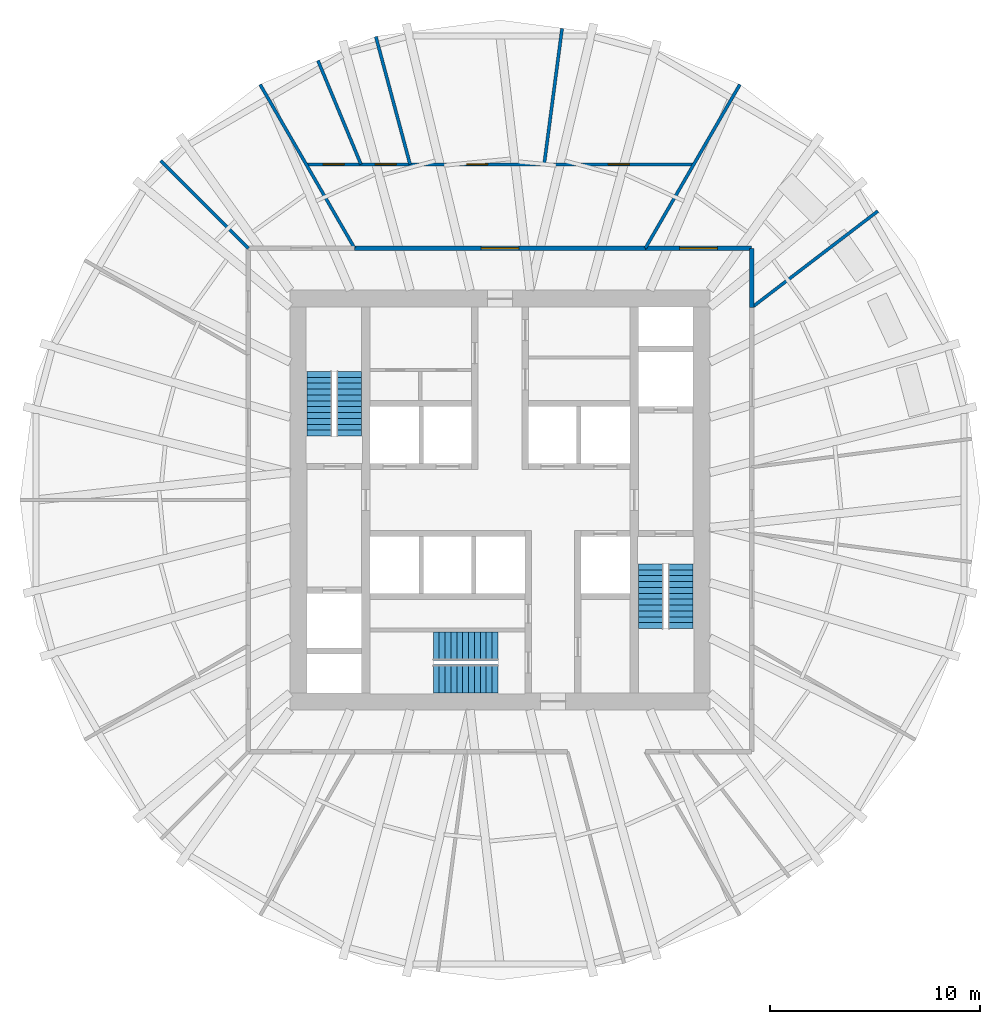
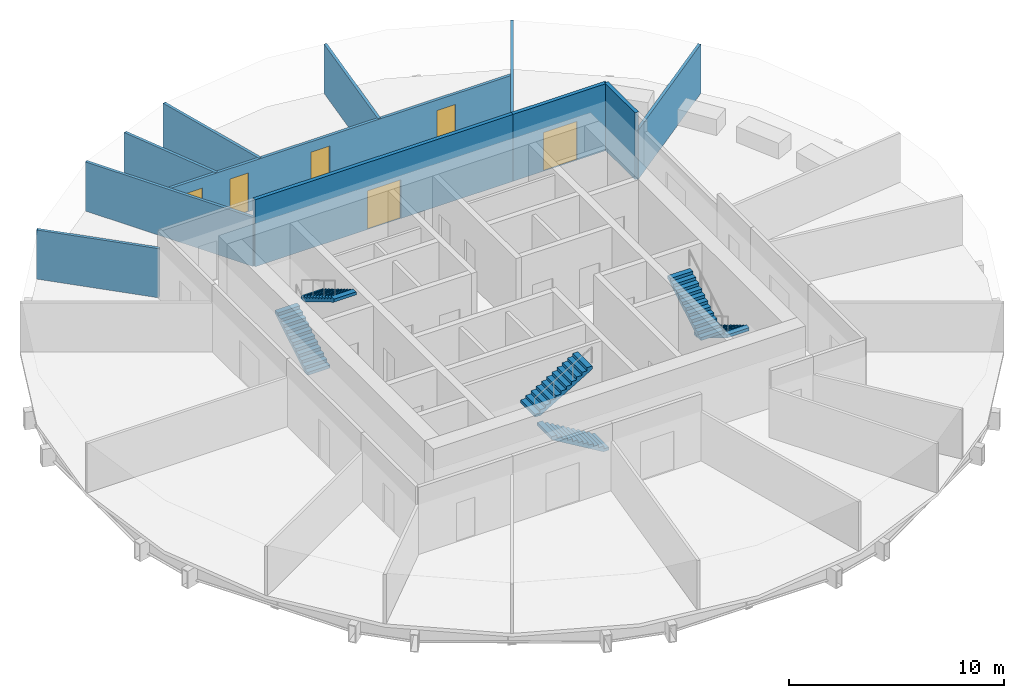
# One storey, part 5 of 7: 11 walls, 6 doors, 6 stair flights, 6 openings, 3 elements without a shape of their own.
"""IFC4 building model written with IfcOpenShell, lengths in metres."""

from ifc_helpers import new_model, si_unit, direction, frame, frame_2d, origin, place, context, subcontext, project, spatial, polyline, rectangle, outline, extrude, material, layer, layer_set, type_object, element, fill, aggregate, save


model = new_model("IFC4")

# Units and contexts
model_context = context("Model", 3, precision=1e-05, world=origin(), true_north=direction((0.0, 1.0)))
body_context = subcontext(model_context, "Body", "Model", "MODEL_VIEW")
ifc_project = project(units=[si_unit("LENGTHUNIT", "METRE"), si_unit("AREAUNIT", "SQUARE_METRE"), si_unit("VOLUMEUNIT", "CUBIC_METRE"), si_unit("PLANEANGLEUNIT", "RADIAN"), si_unit("MASSUNIT", "GRAM", prefix="KILO")], contexts=[model_context])

# Site, building, storey
site_placement = place(None, origin())
site = spatial("IfcSite", under=ifc_project, at=site_placement, CompositionType="ELEMENT")
building_placement = place(site_placement, origin())
building = spatial("IfcBuilding", under=site, at=building_placement, Name="Golbaran Civic Tower", CompositionType="ELEMENT")
storey_placement = place(building_placement, frame((0.0, 0.0, 41.0)))
storey = spatial("IfcBuildingStorey", under=building, at=storey_placement, Name="L09", CompositionType="ELEMENT", Elevation=41.0)

# Wall
ifc_material_1 = material(Name="Gypsum board on steel studs, fire-rated", Category="steel")
ifc_layer_1 = layer(ifc_material_1, 0.199951171875, Name="Gypsum board on steel studs, fire-rated")
ifc_layer_set_1 = layer_set([ifc_layer_1], Name="Gypsum board on steel studs, fire-rated")
wall_type_1 = type_object("IfcWallType", Name="CORRIDOR WALL 200", PredefinedType="PARTITIONING", material=ifc_layer_set_1)
wall_1_placement = place(storey_placement, frame((12.0, 9.175048828125, 0.0), z_axis=(0.0, 0.0, 1.0), x_axis=(0.0, 1.0, 0.0)))
element("IfcWall", 1, at=wall_1_placement, inside=storey, type_object=wall_type_1, Name="Corridor wall L09", PredefinedType="PARTITIONING", context=body_context, shape_type="SweptSolid", body=[
    extrude(rectangle(XDim=2.824951171875, YDim=0.199951171875, at=frame_2d((1.41259765625, 0.0))), origin(), (0.0, 0.0, 1.0), 3.800048828125),
])

# Wall, opening, door
wall_2_placement = place(storey_placement, frame((12.0, 12.0, 0.0), z_axis=(0.0, 0.0, 1.0), x_axis=(-1.0, 0.0, 0.0)))
wall_2 = element("IfcWall", 2, at=wall_2_placement, inside=storey, type_object=wall_type_1, Name="Corridor wall L09", PredefinedType="PARTITIONING", context=body_context, shape_type="SweptSolid", body=[
    extrude(rectangle(XDim=5.07177734375, YDim=0.199951171875, at=frame_2d((2.535888671875, 0.0))), origin(), (0.0, 0.0, 1.0), 3.800048828125),
])
opening_1_placement = place(wall_2_placement, frame((1.635986328125, 0.0, 0.0)))
opening_1 = element("IfcOpeningElement", 3, at=opening_1_placement, cuts=wall_2, Name="Opening L09.08", PredefinedType="OPENING", context=body_context, shape_type="SweptSolid", body=[
    extrude(rectangle(XDim=1.800048828125, YDim=2.199951171875, at=frame_2d((0.89990234375, 1.10009765625))), frame((0.0, 0.10986328125, 0.0), z_axis=(0.0, -1.0, 0.0), x_axis=(1.0, 0.0, 0.0)), (0.0, 0.0, 1.0), 0.219970703125),
])
ifc_material_2 = material(Name="Timber door set in steel frame", Category="steel")
door_type_1 = type_object("IfcDoorType", Name="OFFICE DOUBLE DOOR 1800x2200", OperationType="DOUBLE_DOOR_SINGLE_SWING", PredefinedType="DOOR", material=ifc_material_2)
door_1_placement = place(opening_1_placement, origin())
door_1 = element("IfcDoor", 4, at=door_1_placement, inside=storey, type_object=door_type_1, Name="Staff Lounge door L09", OperationType="DOUBLE_DOOR_SINGLE_SWING", OverallHeight=2.199951171875, OverallWidth=1.800048828125, PredefinedType="DOOR", context=body_context, shape_type="SweptSolid", body=[
    extrude(rectangle(XDim=1.800048828125, YDim=2.199951171875, at=frame_2d((0.89990234375, 1.10009765625))), frame((0.0, 0.02490234375, 0.0), z_axis=(0.0, -1.0, 0.0), x_axis=(1.0, 0.0, 0.0)), (0.0, 0.0, 1.0), 0.050048828125),
])
fill(opening_1, door_1)

wall_3_placement = place(storey_placement, frame((6.92822265625, 12.0, 0.0), z_axis=(0.0, 0.0, 1.0), x_axis=(-1.0, 0.0, 0.0)))
wall_3 = element("IfcWall", 5, at=wall_3_placement, inside=storey, type_object=wall_type_1, Name="Corridor wall L09", PredefinedType="PARTITIONING", context=body_context, shape_type="SweptSolid", body=[
    extrude(rectangle(XDim=13.8564453125, YDim=0.199951171875, at=frame_2d((6.92822265625, 0.0))), origin(), (0.0, 0.0, 1.0), 3.800048828125),
])
opening_2_placement = place(wall_3_placement, frame((6.0283203125, 0.0, 0.0)))
opening_2 = element("IfcOpeningElement", 6, at=opening_2_placement, cuts=wall_3, Name="Opening L09.09", PredefinedType="OPENING", context=body_context, shape_type="SweptSolid", body=[
    extrude(rectangle(XDim=1.800048828125, YDim=2.199951171875, at=frame_2d((0.89990234375, 1.10009765625))), frame((0.0, 0.10986328125, 0.0), z_axis=(0.0, -1.0, 0.0), x_axis=(1.0, 0.0, 0.0)), (0.0, 0.0, 1.0), 0.219970703125),
])
door_2_placement = place(opening_2_placement, origin())
door_2 = element("IfcDoor", 7, at=door_2_placement, inside=storey, type_object=door_type_1, Name="Secretariat door L09", OperationType="DOUBLE_DOOR_SINGLE_SWING", OverallHeight=2.199951171875, OverallWidth=1.800048828125, PredefinedType="DOOR", context=body_context, shape_type="SweptSolid", body=[
    extrude(rectangle(XDim=1.800048828125, YDim=2.199951171875, at=frame_2d((0.89990234375, 1.10009765625))), frame((0.0, 0.02490234375, 0.0), z_axis=(0.0, -1.0, 0.0), x_axis=(1.0, 0.0, 0.0)), (0.0, 0.0, 1.0), 0.050048828125),
])
fill(opening_2, door_2)

# Walls
ifc_material_3 = material(Name="Gypsum board on steel studs", Category="steel")
ifc_layer_2 = layer(ifc_material_3, 0.14990234375, Name="Gypsum board on steel studs")
ifc_layer_set_2 = layer_set([ifc_layer_2], Name="Gypsum board on steel studs")
wall_type_2 = type_object("IfcWallType", Name="OFFICE PARTITION 150", PredefinedType="PARTITIONING", material=ifc_layer_set_2)
wall_4_placement = place(storey_placement, frame((12.0, 9.175048828125, 0.0), z_axis=(0.0, 0.0, 1.0), x_axis=(0.794391707198, 0.607405807952, 0.0)))
element("IfcWall", 8, at=wall_4_placement, inside=storey, type_object=wall_type_2, Name="Partition 37.4013 L09", PredefinedType="PARTITIONING", context=body_context, shape_type="SweptSolid", body=[
    extrude(rectangle(XDim=7.56884765625, YDim=0.14990234375, at=frame_2d((3.784423828125, 0.0))), origin(), (0.0, 0.0, 1.0), 2.7900390625),
])
for number, where, z_axis, x_axis, name in (
    (9, (6.92822265625, 12.0, 0.0), (0.0, 0.0, 1.0), (0.49999598783, 0.866027720199, 0.0), "Partition 60 L09"),
    (10, (-6.92822265625, 12.0, 0.0), (0.0, 0.0, 1.0), (-0.49999598783, 0.866027720199, 0.0), "Partition 120 L09"),
):
    element("IfcWall", number, at=place(storey_placement, frame(where, z_axis=z_axis, x_axis=x_axis)), inside=storey, type_object=wall_type_2, Name=name, PredefinedType="PARTITIONING", context=body_context, shape_type="SweptSolid", body=[
        extrude(rectangle(XDim=9.013671875, YDim=0.14990234375, at=frame_2d((4.5068359375, 0.0))), origin(), (0.0, 0.0, 1.0), 2.7900390625),
    ])
wall_5_placement = place(storey_placement, frame((-12.0, 12.0, 0.0), z_axis=(0.0, 0.0, 1.0), x_axis=(-0.707106781187, 0.707106781187, 0.0)))
element("IfcWall", 11, at=wall_5_placement, inside=storey, type_object=wall_type_2, Name="Partition 135 L09", PredefinedType="PARTITIONING", context=body_context, shape_type="SweptSolid", body=[
    extrude(rectangle(XDim=5.899658203125, YDim=0.14990234375, at=frame_2d((2.94970703125, 0.0))), origin(), (0.0, 0.0, 1.0), 2.7900390625),
])

# Wall, openings, doors
wall_6_placement = place(storey_placement, frame((9.237548828125, 16.0, 0.0), z_axis=(0.0, 0.0, 1.0), x_axis=(-1.0, 0.0, 0.0)))
wall_6 = element("IfcWall", 12, at=wall_6_placement, inside=storey, type_object=wall_type_2, Name="Suite partition L09", PredefinedType="PARTITIONING", context=body_context, shape_type="SweptSolid", body=[
    extrude(rectangle(XDim=18.47509765625, YDim=0.14990234375, at=frame_2d((9.237548828125, 0.0))), origin(), (0.0, 0.0, 1.0), 2.7900390625),
])
opening_3_placement = place(wall_6_placement, frame((3.065673828125, 0.0, 0.0)))
opening_3 = element("IfcOpeningElement", 13, at=opening_3_placement, cuts=wall_6, Name="Opening L09.01", PredefinedType="OPENING", context=body_context, shape_type="SweptSolid", body=[
    extrude(rectangle(XDim=1.0, YDim=2.199951171875, at=frame_2d((0.5, 1.10009765625))), frame((0.0, 0.0849609375, 0.0), z_axis=(0.0, -1.0, 0.0), x_axis=(1.0, 0.0, 0.0)), (0.0, 0.0, 1.0), 0.169921875),
])
opening_4_placement = place(wall_6_placement, frame((9.827880859375, 0.0, 0.0)))
opening_4 = element("IfcOpeningElement", 14, at=opening_4_placement, cuts=wall_6, Name="Opening L09.02", PredefinedType="OPENING", context=body_context, shape_type="SweptSolid", body=[
    extrude(rectangle(XDim=1.0, YDim=2.199951171875, at=frame_2d((0.5, 1.10009765625))), frame((0.0, 0.0849609375, 0.0), z_axis=(0.0, -1.0, 0.0), x_axis=(1.0, 0.0, 0.0)), (0.0, 0.0, 1.0), 0.169921875),
])
opening_5_placement = place(wall_6_placement, frame((14.19482421875, 0.0, 0.0)))
opening_5 = element("IfcOpeningElement", 15, at=opening_5_placement, cuts=wall_6, Name="Opening L09.03", PredefinedType="OPENING", context=body_context, shape_type="SweptSolid", body=[
    extrude(rectangle(XDim=1.0, YDim=2.199951171875, at=frame_2d((0.5, 1.10009765625))), frame((0.0, 0.0849609375, 0.0), z_axis=(0.0, -1.0, 0.0), x_axis=(1.0, 0.0, 0.0)), (0.0, 0.0, 1.0), 0.169921875),
])
opening_6_placement = place(wall_6_placement, frame((16.670166015625, 0.0, 0.0)))
opening_6 = element("IfcOpeningElement", 16, at=opening_6_placement, cuts=wall_6, Name="Opening L09.04", PredefinedType="OPENING", context=body_context, shape_type="SweptSolid", body=[
    extrude(rectangle(XDim=1.0, YDim=2.199951171875, at=frame_2d((0.5, 1.10009765625))), frame((0.0, 0.0849609375, 0.0), z_axis=(0.0, -1.0, 0.0), x_axis=(1.0, 0.0, 0.0)), (0.0, 0.0, 1.0), 0.169921875),
])
door_type_2 = type_object("IfcDoorType", Name="OFFICE DOOR 1000x2200", OperationType="SINGLE_SWING_LEFT", PredefinedType="DOOR", material=ifc_material_2)
door_3_placement = place(opening_3_placement, origin())
door_3 = element("IfcDoor", 17, at=door_3_placement, inside=storey, type_object=door_type_2, Name="Office door L09", OperationType="SINGLE_SWING_LEFT", OverallHeight=2.199951171875, OverallWidth=1.0, PredefinedType="DOOR", context=body_context, shape_type="SweptSolid", body=[
    extrude(rectangle(XDim=1.0, YDim=2.199951171875, at=frame_2d((0.5, 1.10009765625))), frame((0.0, 0.02490234375, 0.0), z_axis=(0.0, -1.0, 0.0), x_axis=(1.0, 0.0, 0.0)), (0.0, 0.0, 1.0), 0.050048828125),
])
fill(opening_3, door_3)
door_4_placement = place(opening_4_placement, origin())
door_4 = element("IfcDoor", 18, at=door_4_placement, inside=storey, type_object=door_type_2, Name="Office door L09", OperationType="SINGLE_SWING_RIGHT", OverallHeight=2.199951171875, OverallWidth=1.0, PredefinedType="DOOR", context=body_context, shape_type="SweptSolid", body=[
    extrude(rectangle(XDim=1.0, YDim=2.199951171875, at=frame_2d((0.5, 1.10009765625))), frame((0.0, 0.02490234375, 0.0), z_axis=(0.0, -1.0, 0.0), x_axis=(1.0, 0.0, 0.0)), (0.0, 0.0, 1.0), 0.050048828125),
])
fill(opening_4, door_4)
door_5_placement = place(opening_5_placement, origin())
door_5 = element("IfcDoor", 19, at=door_5_placement, inside=storey, type_object=door_type_2, Name="Office door L09", OperationType="SINGLE_SWING_RIGHT", OverallHeight=2.199951171875, OverallWidth=1.0, PredefinedType="DOOR", context=body_context, shape_type="SweptSolid", body=[
    extrude(rectangle(XDim=1.0, YDim=2.199951171875, at=frame_2d((0.5, 1.10009765625))), frame((0.0, 0.02490234375, 0.0), z_axis=(0.0, -1.0, 0.0), x_axis=(1.0, 0.0, 0.0)), (0.0, 0.0, 1.0), 0.050048828125),
])
fill(opening_5, door_5)
door_6_placement = place(opening_6_placement, origin())
door_6 = element("IfcDoor", 20, at=door_6_placement, inside=storey, type_object=door_type_2, Name="Office door L09", OperationType="SINGLE_SWING_RIGHT", OverallHeight=2.199951171875, OverallWidth=1.0, PredefinedType="DOOR", context=body_context, shape_type="SweptSolid", body=[
    extrude(rectangle(XDim=1.0, YDim=2.199951171875, at=frame_2d((0.5, 1.10009765625))), frame((0.0, 0.02490234375, 0.0), z_axis=(0.0, -1.0, 0.0), x_axis=(1.0, 0.0, 0.0)), (0.0, 0.0, 1.0), 0.050048828125),
])
fill(opening_6, door_6)

# Walls
wall_7_placement = place(storey_placement, frame((2.1064453125, 16.0, 0.0), z_axis=(0.0, 0.0, 1.0), x_axis=(0.130541469286, 0.99144284999, 0.0)))
element("IfcWall", 21, at=wall_7_placement, inside=storey, type_object=wall_type_2, Name="Partition 82.5 L09", PredefinedType="PARTITIONING", context=body_context, shape_type="SweptSolid", body=[
    extrude(rectangle(XDim=6.536376953125, YDim=0.14990234375, at=frame_2d((3.26806640625, 0.0))), origin(), (0.0, 0.0, 1.0), 2.7900390625),
])
wall_8_placement = place(storey_placement, frame((-4.287109375, 16.0, 0.0), z_axis=(0.0, 0.0, 1.0), x_axis=(-0.258826398016, 0.965923856052, 0.0)))
element("IfcWall", 22, at=wall_8_placement, inside=storey, type_object=wall_type_2, Name="Partition 105 L09", PredefinedType="PARTITIONING", context=body_context, shape_type="SweptSolid", body=[
    extrude(rectangle(XDim=6.3056640625, YDim=0.14990234375, at=frame_2d((3.15283203125, 0.0))), origin(), (0.0, 0.0, 1.0), 2.7900390625),
])
wall_9_placement = place(storey_placement, frame((-6.62744140625, 16.0, 0.0), z_axis=(0.0, 0.0, 1.0), x_axis=(-0.382695310359, 0.923874612396, 0.0)))
element("IfcWall", 23, at=wall_9_placement, inside=storey, type_object=wall_type_2, Name="Partition 112.5 L09", PredefinedType="PARTITIONING", context=body_context, shape_type="SweptSolid", body=[
    extrude(rectangle(XDim=5.356201171875, YDim=0.14990234375, at=frame_2d((2.67822265625, 0.0))), origin(), (0.0, 0.0, 1.0), 2.7900390625),
])

# Stair, stair flights
ifc_material_4 = material(Name="Concrete C35/45", Category="concrete")
stair_type_1 = type_object("IfcStairType", Name="EXIT STAIR 2600 x 7450, 4000 RISE", PredefinedType="HALF_TURN_STAIR", material=ifc_material_4)
stair_1_placement = place(storey_placement, origin())
stair_1 = element("IfcStair", 24, at=stair_1_placement, inside=storey, type_object=stair_type_1, Name="Stair S1 L09", PredefinedType="HALF_TURN_STAIR")
stair_flight_type_1 = type_object("IfcStairFlightType", Name="STAIR FLIGHT 1200 WIDE", PredefinedType="STRAIGHT", material=ifc_material_4)
stair_flight_1_placement = place(storey_placement, frame((-8.60009765625, 3.050048828125, 0.0), z_axis=(0.0, 0.0, 1.0), x_axis=(0.0, 1.0, 0.0)))
stair_flight_1 = element("IfcStairFlight", 25, at=stair_flight_1_placement, type_object=stair_flight_type_1, Name="ST26074-40 flight 1", NumberOfRisers=12, NumberOfTreads=11, PredefinedType="STRAIGHT", RiserHeight=0.166666667, TreadLength=0.28, context=body_context, shape_type="SweptSolid", body=[
    extrude(outline(polyline([(0.0, 0.0), (0.0, 0.166748046875), (0.280029296875, 0.166748046875), (0.280029296875, 0.333251953125), (0.56005859375, 0.333251953125), (0.56005859375, 0.5), (0.840087890625, 0.5), (0.840087890625, 0.666748046875), (1.1201171875, 0.666748046875), (1.1201171875, 0.833251953125), (1.39990234375, 0.833251953125), (1.39990234375, 1.0), (1.679931640625, 1.0), (1.679931640625, 1.166748046875), (1.9599609375, 1.166748046875), (1.9599609375, 1.333251953125), (2.239990234375, 1.333251953125), (2.239990234375, 1.5), (2.52001953125, 1.5), (2.52001953125, 1.666748046875), (2.800048828125, 1.666748046875), (2.800048828125, 1.833251953125), (3.080078125, 1.833251953125), (3.080078125, 2.0), (3.080078125, 1.658935546875), (0.29296875, 0.0), (0.0, 0.0)])), frame((0.0, 0.60009765625, 0.0), z_axis=(0.0, -1.0, 0.0), x_axis=(1.0, 0.0, 0.0)), (0.0, 0.0, 1.0), 1.199951171875),
])
stair_flight_2_placement = place(storey_placement, frame((-7.199951171875, 6.1298828125, 2.0), z_axis=(0.0, 0.0, 1.0), x_axis=(0.0, -1.0, 0.0)))
stair_flight_2 = element("IfcStairFlight", 26, at=stair_flight_2_placement, type_object=stair_flight_type_1, Name="ST26074-40 flight 2", NumberOfRisers=12, NumberOfTreads=11, PredefinedType="STRAIGHT", RiserHeight=0.166666667, TreadLength=0.28, context=body_context, shape_type="SweptSolid", body=[
    extrude(outline(polyline([(0.0, 0.0), (0.0, 0.166748046875), (0.280029296875, 0.166748046875), (0.280029296875, 0.333251953125), (0.56005859375, 0.333251953125), (0.56005859375, 0.5), (0.840087890625, 0.5), (0.840087890625, 0.666748046875), (1.1201171875, 0.666748046875), (1.1201171875, 0.833251953125), (1.39990234375, 0.833251953125), (1.39990234375, 1.0), (1.679931640625, 1.0), (1.679931640625, 1.166748046875), (1.9599609375, 1.166748046875), (1.9599609375, 1.333251953125), (2.239990234375, 1.333251953125), (2.239990234375, 1.5), (2.52001953125, 1.5), (2.52001953125, 1.666748046875), (2.800048828125, 1.666748046875), (2.800048828125, 1.833251953125), (3.080078125, 1.833251953125), (3.080078125, 2.0), (3.080078125, 1.658935546875), (0.29296875, 0.0), (0.0, 0.0)])), frame((0.0, 0.60009765625, 0.0), z_axis=(0.0, -1.0, 0.0), x_axis=(1.0, 0.0, 0.0)), (0.0, 0.0, 1.0), 1.199951171875),
])
aggregate(stair_1, [stair_flight_1, stair_flight_2])

stair_2_placement = place(storey_placement, origin())
stair_2 = element("IfcStair", 27, at=stair_2_placement, inside=storey, type_object=stair_type_1, Name="Stair S2 L09", PredefinedType="HALF_TURN_STAIR")
stair_flight_3_placement = place(storey_placement, frame((8.60009765625, -3.050048828125, 0.0), z_axis=(0.0, 0.0, 1.0), x_axis=(0.0, -1.0, 0.0)))
stair_flight_3 = element("IfcStairFlight", 28, at=stair_flight_3_placement, type_object=stair_flight_type_1, Name="ST26074-40 flight 1", NumberOfRisers=12, NumberOfTreads=11, PredefinedType="STRAIGHT", RiserHeight=0.166666667, TreadLength=0.28, context=body_context, shape_type="SweptSolid", body=[
    extrude(outline(polyline([(0.0, 0.0), (0.0, 0.166748046875), (0.280029296875, 0.166748046875), (0.280029296875, 0.333251953125), (0.56005859375, 0.333251953125), (0.56005859375, 0.5), (0.840087890625, 0.5), (0.840087890625, 0.666748046875), (1.1201171875, 0.666748046875), (1.1201171875, 0.833251953125), (1.39990234375, 0.833251953125), (1.39990234375, 1.0), (1.679931640625, 1.0), (1.679931640625, 1.166748046875), (1.9599609375, 1.166748046875), (1.9599609375, 1.333251953125), (2.239990234375, 1.333251953125), (2.239990234375, 1.5), (2.52001953125, 1.5), (2.52001953125, 1.666748046875), (2.800048828125, 1.666748046875), (2.800048828125, 1.833251953125), (3.080078125, 1.833251953125), (3.080078125, 2.0), (3.080078125, 1.658935546875), (0.29296875, 0.0), (0.0, 0.0)])), frame((0.0, 0.60009765625, 0.0), z_axis=(0.0, -1.0, 0.0), x_axis=(1.0, 0.0, 0.0)), (0.0, 0.0, 1.0), 1.199951171875),
])
stair_flight_4_placement = place(storey_placement, frame((7.199951171875, -6.1298828125, 2.0), z_axis=(0.0, 0.0, 1.0), x_axis=(0.0, 1.0, 0.0)))
stair_flight_4 = element("IfcStairFlight", 29, at=stair_flight_4_placement, type_object=stair_flight_type_1, Name="ST26074-40 flight 2", NumberOfRisers=12, NumberOfTreads=11, PredefinedType="STRAIGHT", RiserHeight=0.166666667, TreadLength=0.28, context=body_context, shape_type="SweptSolid", body=[
    extrude(outline(polyline([(0.0, 0.0), (0.0, 0.166748046875), (0.280029296875, 0.166748046875), (0.280029296875, 0.333251953125), (0.56005859375, 0.333251953125), (0.56005859375, 0.5), (0.840087890625, 0.5), (0.840087890625, 0.666748046875), (1.1201171875, 0.666748046875), (1.1201171875, 0.833251953125), (1.39990234375, 0.833251953125), (1.39990234375, 1.0), (1.679931640625, 1.0), (1.679931640625, 1.166748046875), (1.9599609375, 1.166748046875), (1.9599609375, 1.333251953125), (2.239990234375, 1.333251953125), (2.239990234375, 1.5), (2.52001953125, 1.5), (2.52001953125, 1.666748046875), (2.800048828125, 1.666748046875), (2.800048828125, 1.833251953125), (3.080078125, 1.833251953125), (3.080078125, 2.0), (3.080078125, 1.658935546875), (0.29296875, 0.0), (0.0, 0.0)])), frame((0.0, 0.60009765625, 0.0), z_axis=(0.0, -1.0, 0.0), x_axis=(1.0, 0.0, 0.0)), (0.0, 0.0, 1.0), 1.199951171875),
])
aggregate(stair_2, [stair_flight_3, stair_flight_4])

stair_type_2 = type_object("IfcStairType", Name="EXIT STAIR 2900 x 7400, 4000 RISE", PredefinedType="HALF_TURN_STAIR", material=ifc_material_4)
stair_3_placement = place(storey_placement, origin())
stair_3 = element("IfcStair", 30, at=stair_3_placement, inside=storey, type_object=stair_type_2, Name="Stair S3 L09", PredefinedType="HALF_TURN_STAIR")
stair_flight_type_2 = type_object("IfcStairFlightType", Name="STAIR FLIGHT 1350 WIDE", PredefinedType="STRAIGHT", material=ifc_material_4)
stair_flight_5_placement = place(storey_placement, frame((-0.10009765625, -8.52490234375, 0.0), z_axis=(0.0, 0.0, 1.0), x_axis=(-1.0, 0.0, 0.0)))
stair_flight_5 = element("IfcStairFlight", 31, at=stair_flight_5_placement, type_object=stair_flight_type_2, Name="ST29074-40 flight 1", NumberOfRisers=12, NumberOfTreads=11, PredefinedType="STRAIGHT", RiserHeight=0.166666667, TreadLength=0.28, context=body_context, shape_type="SweptSolid", body=[
    extrude(outline(polyline([(0.0, 0.0), (0.0, 0.166748046875), (0.280029296875, 0.166748046875), (0.280029296875, 0.333251953125), (0.56005859375, 0.333251953125), (0.56005859375, 0.5), (0.840087890625, 0.5), (0.840087890625, 0.666748046875), (1.1201171875, 0.666748046875), (1.1201171875, 0.833251953125), (1.39990234375, 0.833251953125), (1.39990234375, 1.0), (1.679931640625, 1.0), (1.679931640625, 1.166748046875), (1.9599609375, 1.166748046875), (1.9599609375, 1.333251953125), (2.239990234375, 1.333251953125), (2.239990234375, 1.5), (2.52001953125, 1.5), (2.52001953125, 1.666748046875), (2.800048828125, 1.666748046875), (2.800048828125, 1.833251953125), (3.080078125, 1.833251953125), (3.080078125, 2.0), (3.080078125, 1.658935546875), (0.29296875, 0.0), (0.0, 0.0)])), frame((0.0, 0.675048828125, 0.0), z_axis=(0.0, -1.0, 0.0), x_axis=(1.0, 0.0, 0.0)), (0.0, 0.0, 1.0), 1.35009765625),
])
stair_flight_6_placement = place(storey_placement, frame((-3.179931640625, -6.97509765625, 2.0), z_axis=(0.0, 0.0, 1.0), x_axis=(1.0, 0.0, 0.0)))
stair_flight_6 = element("IfcStairFlight", 32, at=stair_flight_6_placement, type_object=stair_flight_type_2, Name="ST29074-40 flight 2", NumberOfRisers=12, NumberOfTreads=11, PredefinedType="STRAIGHT", RiserHeight=0.166666667, TreadLength=0.28, context=body_context, shape_type="SweptSolid", body=[
    extrude(outline(polyline([(0.0, 0.0), (0.0, 0.166748046875), (0.280029296875, 0.166748046875), (0.280029296875, 0.333251953125), (0.56005859375, 0.333251953125), (0.56005859375, 0.5), (0.840087890625, 0.5), (0.840087890625, 0.666748046875), (1.1201171875, 0.666748046875), (1.1201171875, 0.833251953125), (1.39990234375, 0.833251953125), (1.39990234375, 1.0), (1.679931640625, 1.0), (1.679931640625, 1.166748046875), (1.9599609375, 1.166748046875), (1.9599609375, 1.333251953125), (2.239990234375, 1.333251953125), (2.239990234375, 1.5), (2.52001953125, 1.5), (2.52001953125, 1.666748046875), (2.800048828125, 1.666748046875), (2.800048828125, 1.833251953125), (3.080078125, 1.833251953125), (3.080078125, 2.0), (3.080078125, 1.658935546875), (0.29296875, 0.0), (0.0, 0.0)])), frame((0.0, 0.675048828125, 0.0), z_axis=(0.0, -1.0, 0.0), x_axis=(1.0, 0.0, 0.0)), (0.0, 0.0, 1.0), 1.35009765625),
])
aggregate(stair_3, [stair_flight_5, stair_flight_6])

save(model, "model.ifc")
